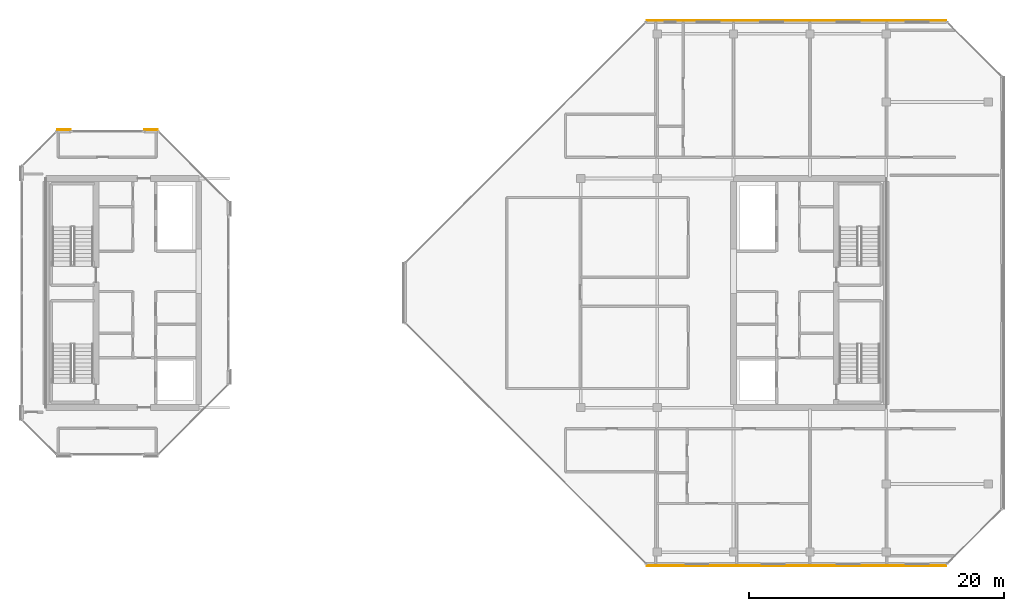
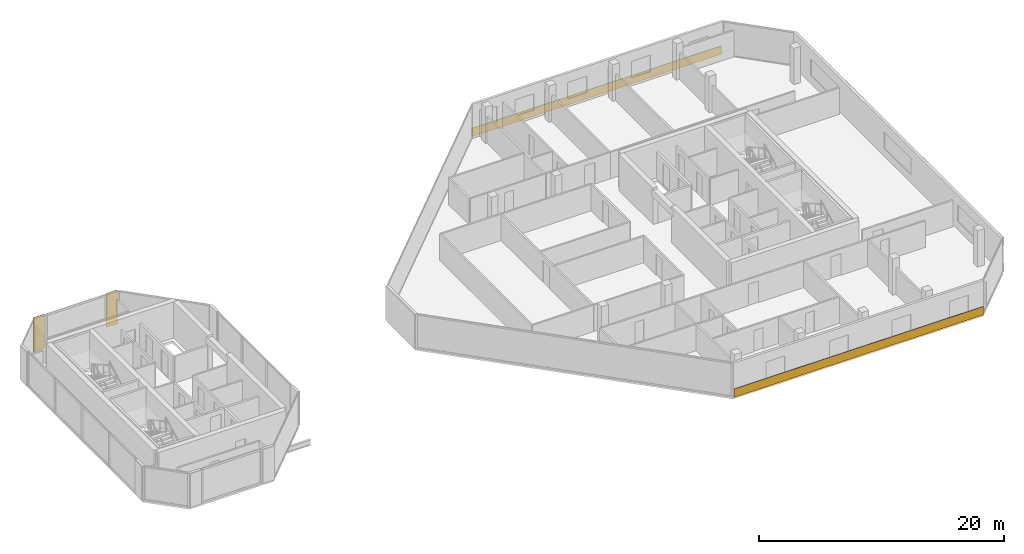
# One storey, part 27 of 28: 4 coverings.
"""IFC4 building model written with IfcOpenShell, lengths in metres."""

from ifc_helpers import new_model, si_unit, direction, frame, origin, origin_2d, place, context, subcontext, project, spatial, rectangle, extrude, material, layer, layer_set, type_object, element, save


model = new_model("IFC4")

# Units and contexts
model_context = context("Model", 3, precision=1e-05, world=origin(), true_north=direction((0.0, 1.0)))
body_context = subcontext(model_context, "Body", "Model", "MODEL_VIEW")
ifc_project = project(units=[si_unit("LENGTHUNIT", "METRE"), si_unit("AREAUNIT", "SQUARE_METRE"), si_unit("VOLUMEUNIT", "CUBIC_METRE"), si_unit("PLANEANGLEUNIT", "RADIAN"), si_unit("MASSUNIT", "GRAM", prefix="KILO")], contexts=[model_context])

# Site, building, storey
site_placement = place(None, origin())
site = spatial("IfcSite", under=ifc_project, at=site_placement, CompositionType="ELEMENT")
building_placement = place(site_placement, origin())
building = spatial("IfcBuilding", under=site, at=building_placement, Name="Tanjung Sevakor Pilgrim Tower", CompositionType="ELEMENT")
storey_placement = place(building_placement, frame((0.0, 0.0, 249.81005859375)))
storey = spatial("IfcBuildingStorey", under=building, at=storey_placement, Name="L70", CompositionType="ELEMENT", Elevation=249.81005859375)

# Coverings
ifc_material = material(Name="Reconstructed Limestone Cladding", Category="masonry")
ifc_layer = layer(ifc_material, 0.044921875)
ifc_layer_set = layer_set([ifc_layer], Name="COV-CLAD-LIMESTONE")
covering_type = type_object("IfcCoveringType", Name="COV-CLAD-LIMESTONE", PredefinedType="CLADDING", material=ifc_layer_set)
for number, where, z_axis, x_axis, name in (
    (1, (32.25439453125, 46.422607421875, 0.019775390625), (0.0, 0.0, 1.0), (-1.0, 0.0, 0.0), "L70 Warm Limestone Wall Cladding EW-CRN1-L70-WEST-4-1"),
    (2, (25.3955078125, 46.422607421875, 0.019775390625), (0.0, 0.0, 1.0), (-1.0, 0.0, 0.0), "L70 Warm Limestone Wall Cladding EW-CRN2-L70-WEST-4-1"),
):
    element("IfcCovering", number, at=place(storey_placement, frame(where, z_axis=z_axis, x_axis=x_axis)), inside=storey, type_object=covering_type, Name=name, PredefinedType="CLADDING", context=body_context, shape_type="SweptSolid", body=[
        extrude(rectangle(XDim=1.06005859375, YDim=0.044921875, at=origin_2d()), origin(), (0.0, 0.0, 1.0), 3.3701171875),
    ])
for number, where, z_axis, x_axis, name in (
    (3, (82.949951171875, 12.177490234375, 0.009765625), (0.0, 0.0, 1.0), (1.0, 0.0, 0.0), "L70 Warm Limestone Sill Spandrel EW-L70-EAST-1-1"),
    (4, (82.949951171875, 55.0224609375, 0.009765625), (0.0, 0.0, 1.0), (-1.0, 0.0, 0.0), "L70 Warm Limestone Sill Spandrel EW-L70-EAST-5-1"),
):
    element("IfcCovering", number, at=place(storey_placement, frame(where, z_axis=z_axis, x_axis=x_axis)), inside=storey, type_object=covering_type, Name=name, PredefinedType="CLADDING", context=body_context, shape_type="SweptSolid", body=[
        extrude(rectangle(XDim=23.52880859375, YDim=0.044921875, at=origin_2d()), origin(), (0.0, 0.0, 1.0), 0.840087890625),
    ])

save(model, "model.ifc")
